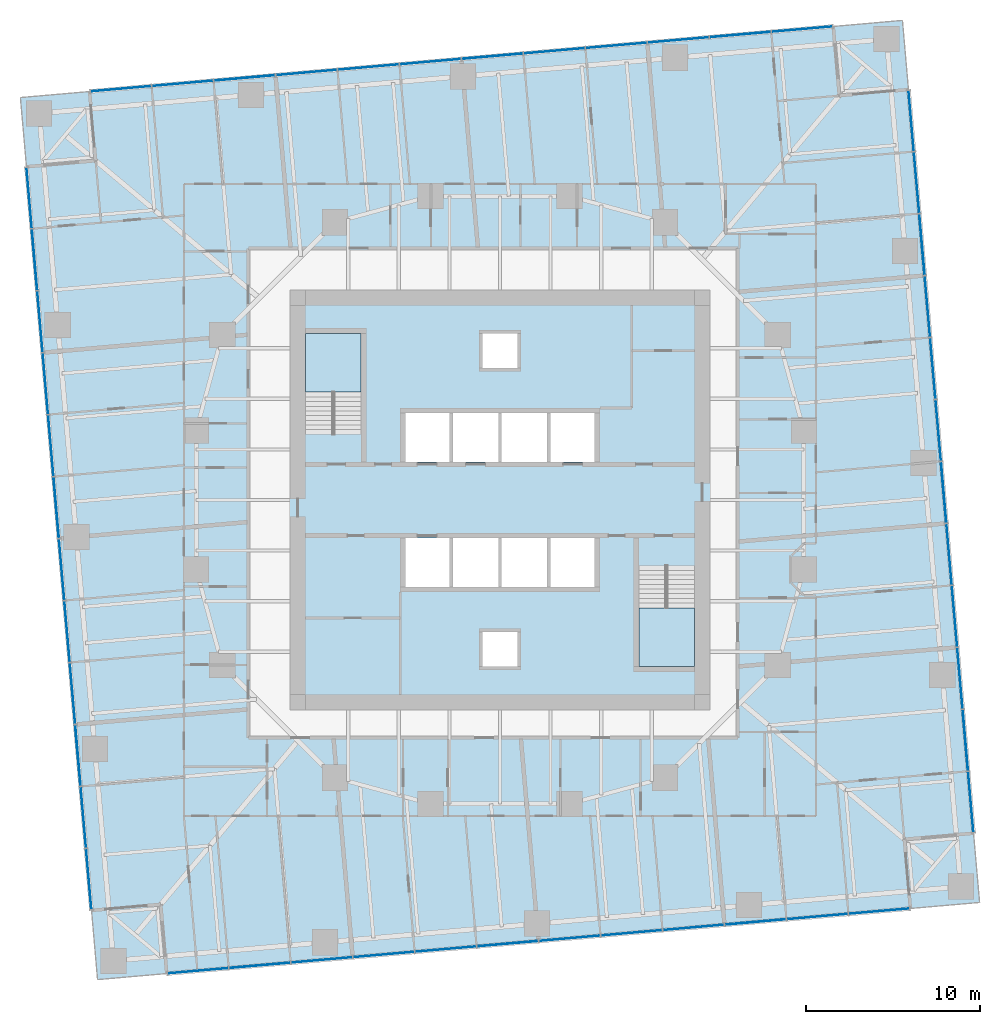
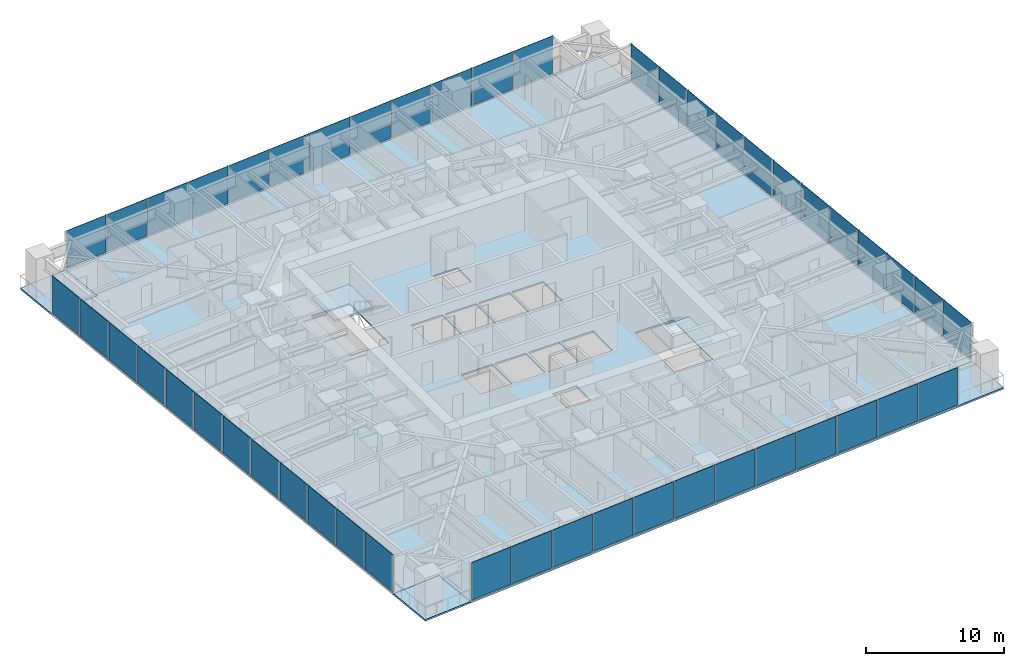
# One storey, part 7 of 14: 48 plates, 7 slabs, 6 elements without a shape of their own.
"""IFC4 building model written with IfcOpenShell, lengths in metres."""

import ifcopenshell
import ifcopenshell.guid

model = None  # the IFC model being written
_history = None  # IfcOwnerHistory: only IFC2X3 demands one
_inside = {}  # id of a spatial element -> (the spatial element, [elements in it])
_under = {}  # id of a project, library or spatial element -> (it, [spatial elements below it])
_declared = {}  # id of a project -> (the project, [libraries it declares])
_typed = {}  # id of a type object -> (the type object, [elements of that type])
_made_of = {}  # id of a material, layer set ... -> (it, [elements and type objects made of it])


def new_model(schema):
    """Start an empty IFC model of exactly this schema.

    Asked for "IFC4X3", IfcOpenShell would pick the latest addendum, in which some entities
    have other attributes; the version numbers below select the first issue.
    IFC2X3 requires an IfcOwnerHistory on every rooted entity: one is made here for all.
    """
    global model, _history
    if schema == "IFC4X3":
        model = ifcopenshell.file(schema_version=(4, 3, 0, 0))
    else:
        model = ifcopenshell.file(schema=schema)
    _inside.clear()
    _under.clear()
    _declared.clear()
    _typed.clear()
    _made_of.clear()
    _history = None
    if model.schema == "IFC2X3":
        org = make("IfcOrganization", Name="unknown")
        user = make(
            "IfcPersonAndOrganization",
            ThePerson=make("IfcPerson", FamilyName="unknown"),
            TheOrganization=org,
        )
        app = make(
            "IfcApplication",
            ApplicationDeveloper=org,
            Version="unknown",
            ApplicationFullName="unknown",
            ApplicationIdentifier="unknown",
        )
        _history = make(
            "IfcOwnerHistory",
            OwningUser=user,
            OwningApplication=app,
            ChangeAction="ADDED",
            CreationDate=0,
        )
    return model


def make(cls, **values):
    """One entity of the class cls with the attributes given. An attribute that is None is left unset."""
    return model.create_entity(
        cls, **{name: value for name, value in values.items() if value is not None}
    )


def rooted(cls, **values):
    """An entity with a GlobalId (a new one), such as an element, a storey or a relation."""
    return make(cls, GlobalId=ifcopenshell.guid.new(), OwnerHistory=_history, **values)


def si_unit(unit_type, name, prefix=None):
    """IfcSIUnit, for example si_unit("LENGTHUNIT", "METRE", prefix="MILLI")."""
    return make("IfcSIUnit", UnitType=unit_type, Prefix=prefix, Name=name)


def assignment(units):
    """IfcUnitAssignment: the units of a project."""
    return None if units is None else make("IfcUnitAssignment", Units=units)


def point(xyz):
    """IfcCartesianPoint."""
    return None if xyz is None else make("IfcCartesianPoint", Coordinates=xyz)


def direction(xyz):
    """IfcDirection."""
    return None if xyz is None else make("IfcDirection", DirectionRatios=xyz)


def frame(location, z_axis=None, x_axis=None):
    """IfcAxis2Placement3D, a coordinate frame: its origin and axes. An axis left out is left unset."""
    return make(
        "IfcAxis2Placement3D",
        Location=point(location),
        Axis=direction(z_axis),
        RefDirection=direction(x_axis),
    )


def frame_2d(location, x_axis=None):
    """IfcAxis2Placement2D, a coordinate frame in the plane: its origin and x axis."""
    return make(
        "IfcAxis2Placement2D", Location=point(location), RefDirection=direction(x_axis)
    )


def origin():
    """The frame at (0, 0, 0) with its axes left unset."""
    return frame((0.0, 0.0, 0.0))


def origin_2d():
    """The frame at (0, 0) in the plane with its x axis left unset."""
    return frame_2d((0.0, 0.0))


def place(relative_to, where):
    """IfcLocalPlacement: puts the frame where relative to a parent placement (None: the world)."""
    return make(
        "IfcLocalPlacement", PlacementRelTo=relative_to, RelativePlacement=where
    )


def context(
    kind, dimensions, precision=None, world=None, true_north=None, identifier=None
):
    """IfcGeometricRepresentationContext, for example the 3D "Model" context."""
    return make(
        "IfcGeometricRepresentationContext",
        ContextIdentifier=identifier,
        ContextType=kind,
        CoordinateSpaceDimension=dimensions,
        Precision=precision,
        WorldCoordinateSystem=world,
        TrueNorth=true_north,
    )


def subcontext(parent, identifier, kind, view, scale=None):
    """IfcGeometricRepresentationSubContext, for example "Body" below "Model"."""
    return make(
        "IfcGeometricRepresentationSubContext",
        ContextIdentifier=identifier,
        ContextType=kind,
        ParentContext=parent,
        TargetScale=scale,
        TargetView=view,
    )


def project(units=None, contexts=None):
    """IfcProject with its units and contexts."""
    return rooted(
        "IfcProject",
        Name="project",
        RepresentationContexts=contexts,
        UnitsInContext=assignment(units),
    )


def spatial(cls, under=None, at=None, **own):
    """A site, building, storey or space (cls), placed at a placement, below another one or the project."""
    s = rooted(cls, ObjectPlacement=at, **own)
    if under is not None:
        _under.setdefault(under.id(), (under, []))[1].append(s)
    return s


def polyline(points):
    """IfcPolyline through the points."""
    return make("IfcPolyline", Points=[point(p) for p in points])


def profile(cls, at=None, kind="AREA", **sizes):
    """A parametric profile (cls). Its sizes go by their IFC names, for example OverallWidth=200.0."""
    return make(cls, ProfileType=kind, Position=at, **sizes)


def rectangle(**sizes):
    """IfcRectangleProfileDef."""
    return profile("IfcRectangleProfileDef", **sizes)


def outline(outer, holes=None, kind="AREA"):
    """IfcArbitraryClosedProfileDef: a profile drawn as a closed curve; with holes, ...WithVoids."""
    if holes is None:
        return make("IfcArbitraryClosedProfileDef", ProfileType=kind, OuterCurve=outer)
    return make(
        "IfcArbitraryProfileDefWithVoids",
        ProfileType=kind,
        OuterCurve=outer,
        InnerCurves=holes,
    )


def extrude(swept, where, along, depth):
    """IfcExtrudedAreaSolid: the profile swept, set in the frame where, extruded along a direction by depth."""
    return make(
        "IfcExtrudedAreaSolid",
        SweptArea=swept,
        Position=where,
        ExtrudedDirection=direction(along),
        Depth=depth,
    )


def shape(context_of_items, identifier, shape_type, items):
    """IfcShapeRepresentation: the items that make up one representation, for example the "Body"."""
    return make(
        "IfcShapeRepresentation",
        ContextOfItems=context_of_items,
        RepresentationIdentifier=identifier,
        RepresentationType=shape_type,
        Items=items,
    )


def material(Name=None, Category=None):
    """IfcMaterial."""
    return make("IfcMaterial", Name=Name, Category=Category)


def layer(
    of_material, thickness, ventilated=None, Name=None, Category=None, Priority=None
):
    """IfcMaterialLayer: one layer of a wall or slab, of a material (None: an air gap)."""
    return make(
        "IfcMaterialLayer",
        Material=of_material,
        LayerThickness=thickness,
        IsVentilated=ventilated,
        Name=Name,
        Category=Category,
        Priority=Priority,
    )


def layer_set(layers, Name=None):
    """IfcMaterialLayerSet."""
    return make("IfcMaterialLayerSet", MaterialLayers=layers, LayerSetName=Name)


def made_of(thing, what):
    """Note that an element or type object is made of a material, layer set ...; save() writes the relation."""
    if what is not None:
        _made_of.setdefault(what.id(), (what, []))[1].append(thing)
    return thing


def type_object(cls, material=None, **own):
    """A type object (cls), such as IfcWallType, which elements share."""
    return made_of(rooted(cls, **own), material)


def element(
    cls,
    number,
    at=None,
    inside=None,
    cuts=None,
    type_object=None,
    material=None,
    context=None,
    identifier="Body",
    shape_type=None,
    held_by="IfcProductDefinitionShape",
    body=None,
    shapes=None,
    **own,
):
    """One element of the class cls, such as IfcWall. Its Tag is "e" and its number.

    at: its placement. inside: the storey or other place that contains it. cuts: it is an
    opening in that element (IfcRelVoidsElement). A single representation is given by context,
    identifier, shape_type and body (its items); several are given by shapes. held_by: the class
    of the entity that holds the representations. save() writes the other relations.
    """
    e = rooted(cls, Tag="e%d" % number, ObjectPlacement=at, **own)
    if body is not None:
        shapes = [shape(context, identifier, shape_type, body)]
    if shapes is not None:
        e.Representation = make(held_by, Representations=shapes)
    if inside is not None:
        _inside.setdefault(inside.id(), (inside, []))[1].append(e)
    if cuts is not None:
        rooted(
            "IfcRelVoidsElement", RelatingBuildingElement=cuts, RelatedOpeningElement=e
        )
    if type_object is not None:
        _typed.setdefault(type_object.id(), (type_object, []))[1].append(e)
    return made_of(e, material)


def aggregate(whole, parts):
    """IfcRelAggregates: a whole, such as a stair, and the parts it consists of."""
    return rooted("IfcRelAggregates", RelatingObject=whole, RelatedObjects=parts)


def save(model, path):
    """Write the relations noted so far, then the file.

    IfcRelAggregates (storeys below a building ...), IfcRelContainedInSpatialStructure (elements
    in a storey), IfcRelDefinesByType, IfcRelAssociatesMaterial and IfcRelDeclares: one each for
    every whole, place, type object, material and project.
    """
    for whole, parts in _under.values():
        aggregate(whole, parts)
    for where, things in _inside.values():
        rooted(
            "IfcRelContainedInSpatialStructure",
            RelatedElements=things,
            RelatingStructure=where,
        )
    for kind, things in _typed.values():
        rooted("IfcRelDefinesByType", RelatedObjects=things, RelatingType=kind)
    for what, things in _made_of.values():
        rooted("IfcRelAssociatesMaterial", RelatedObjects=things, RelatingMaterial=what)
    for by, libraries in _declared.values():
        rooted("IfcRelDeclares", RelatingContext=by, RelatedDefinitions=libraries)
    model.write(path)


model = new_model("IFC4")

# Units and contexts
model_context = context("Model", 3, precision=1e-05, world=origin(), true_north=direction((0.0, 1.0)))
body_context = subcontext(model_context, "Body", "Model", "MODEL_VIEW")
ifc_project = project(units=[si_unit("LENGTHUNIT", "METRE"), si_unit("AREAUNIT", "SQUARE_METRE"), si_unit("VOLUMEUNIT", "CUBIC_METRE"), si_unit("PLANEANGLEUNIT", "RADIAN"), si_unit("MASSUNIT", "GRAM", prefix="KILO")], contexts=[model_context])

# Site, building, storey
site_placement = place(None, origin())
site = spatial("IfcSite", under=ifc_project, at=site_placement, CompositionType="ELEMENT")
building_placement = place(site_placement, origin())
building = spatial("IfcBuilding", under=site, at=building_placement, Name="Torsade Residences", CompositionType="ELEMENT")
storey_placement = place(building_placement, frame((0.0, 0.0, 67.60009765625)))
storey = spatial("IfcBuildingStorey", under=building, at=storey_placement, Name="L18", CompositionType="ELEMENT", Elevation=67.60009765625)

# Slab
ifc_material_1 = material(Name="Concrete 40 MPa", Category="concrete")
ifc_layer_1 = layer(ifc_material_1, 0.14990234375)
ifc_layer_set_1 = layer_set([ifc_layer_1], Name="Concrete 40 MPa")
slab_type_1 = type_object("IfcSlabType", Name="COMPOSITE FLOOR SLAB 150", PredefinedType="FLOOR", material=ifc_layer_set_1)
slab_1_placement = place(storey_placement, frame((0.0, 0.0, -0.150146484375)))
element("IfcSlab", 1, at=slab_1_placement, inside=storey, type_object=slab_type_1, Name="Floor slab L18", PredefinedType="FLOOR", context=body_context, shape_type="SweptSolid", body=[
    extrude(outline(polyline([(20.80419921875, 2.72314453125), (63.640625, 6.470947265625), (63.2919921875, 10.45556640625), (67.27685546875, 10.80419921875), (63.529052734375, 53.640625), (59.54443359375, 53.2919921875), (59.19580078125, 57.27685546875), (16.359375, 53.529052734375), (16.7080078125, 49.54443359375), (12.72314453125, 49.19580078125), (16.470947265625, 6.359375), (20.45556640625, 6.7080078125), (20.80419921875, 2.72314453125)]), holes=[polyline([(51.199951171875, 20.39990234375), (51.199951171875, 26.1201171875), (48.0, 26.1201171875), (48.0, 20.39990234375), (51.199951171875, 20.39990234375)]), polyline([(45.5, 27.800048828125), (42.89990234375, 27.800048828125), (42.89990234375, 25.0), (45.5, 25.0), (45.5, 27.800048828125)]), polyline([(45.5, 32.199951171875), (45.5, 35.0), (42.89990234375, 35.0), (42.89990234375, 32.199951171875), (45.5, 32.199951171875)]), polyline([(42.699951171875, 25.0), (42.699951171875, 27.800048828125), (40.10009765625, 27.800048828125), (40.10009765625, 25.0), (42.699951171875, 25.0)]), polyline([(42.699951171875, 32.199951171875), (42.699951171875, 35.0), (40.10009765625, 35.0), (40.10009765625, 32.199951171875), (42.699951171875, 32.199951171875)]), polyline([(41.0, 22.39990234375), (39.0, 22.39990234375), (39.0, 20.39990234375), (41.0, 20.39990234375), (41.0, 22.39990234375)]), polyline([(41.0, 37.60009765625), (41.0, 39.60009765625), (39.0, 39.60009765625), (39.0, 37.60009765625), (41.0, 37.60009765625)]), polyline([(39.89990234375, 25.0), (39.89990234375, 27.800048828125), (37.300048828125, 27.800048828125), (37.300048828125, 25.0), (39.89990234375, 25.0)]), polyline([(39.89990234375, 35.0), (37.300048828125, 35.0), (37.300048828125, 32.199951171875), (39.89990234375, 32.199951171875), (39.89990234375, 35.0)]), polyline([(37.10009765625, 27.800048828125), (34.5, 27.800048828125), (34.5, 25.0), (37.10009765625, 25.0), (37.10009765625, 27.800048828125)]), polyline([(37.10009765625, 32.199951171875), (37.10009765625, 35.0), (34.5, 35.0), (34.5, 32.199951171875), (37.10009765625, 32.199951171875)]), polyline([(32.0, 33.8798828125), (32.0, 39.60009765625), (28.800048828125, 39.60009765625), (28.800048828125, 33.8798828125), (32.0, 33.8798828125)])]), origin(), (0.0, 0.0, 1.0), 0.150146484375),
])

# Curtain wall, plates
ifc_material_2 = material(Name="Aluminium and glass", Category="aluminium")
curtain_wall_type = type_object("IfcCurtainWallType", Name="FRITTED GLASS CURTAIN WALL LOW ZONE", PredefinedType="NOTDEFINED", material=ifc_material_2)
curtain_wall_1_placement = place(storey_placement, origin())
curtain_wall_1 = element("IfcCurtainWall", 2, at=curtain_wall_1_placement, inside=storey, type_object=curtain_wall_type, Name="Curtain wall L18 face 1", PredefinedType="NOTDEFINED")
ifc_material_3 = material(Name="Laminated glass", Category="glass")
ifc_layer_2 = layer(ifc_material_3, 0.031982421875)
ifc_layer_set_2 = layer_set([ifc_layer_2], Name="Laminated glass")
plate_type_1 = type_object("IfcPlateType", Name="FRITTED GLASS PANEL", PredefinedType="CURTAIN_PANEL", material=ifc_layer_set_2)
plate_1_placement = place(storey_placement, frame((22.605224609375, 2.880859375, 0.10009765625), z_axis=(0.0, 0.0, 1.0), x_axis=(0.996194697964, 0.087155744208, 0.0)))
plate_1 = element("IfcPlate", 3, at=plate_1_placement, type_object=plate_type_1, Name="Panel 1", PredefinedType="CURTAIN_PANEL", context=body_context, shape_type="SweptSolid", body=[
    extrude(rectangle(XDim=3.48583984375, YDim=0.031982421875, at=origin_2d()), origin(), (0.0, 0.0, 1.0), 3.300048828125),
])
plate_2_placement = place(storey_placement, frame((29.728515625, 3.50390625, 0.10009765625), z_axis=(0.0, 0.0, 1.0), x_axis=(0.996194697964, 0.087155744208, 0.0)))
plate_2 = element("IfcPlate", 4, at=plate_2_placement, type_object=plate_type_1, Name="Panel 3", PredefinedType="CURTAIN_PANEL", context=body_context, shape_type="SweptSolid", body=[
    extrude(rectangle(XDim=3.518310546875, YDim=0.031982421875, at=origin_2d()), origin(), (0.0, 0.0, 1.0), 3.300048828125),
])
plate_3_placement = place(storey_placement, frame((33.29833984375, 3.816162109375, 0.10009765625), z_axis=(0.0, 0.0, 1.0), x_axis=(0.996194697964, 0.087155744208, 0.0)))
plate_3 = element("IfcPlate", 5, at=plate_3_placement, type_object=plate_type_1, Name="Panel 4", PredefinedType="CURTAIN_PANEL", context=body_context, shape_type="SweptSolid", body=[
    extrude(rectangle(XDim=3.518310546875, YDim=0.031982421875, at=origin_2d()), origin(), (0.0, 0.0, 1.0), 3.300048828125),
])
plate_4_placement = place(storey_placement, frame((36.867919921875, 4.128662109375, 0.10009765625), z_axis=(0.0, 0.0, 1.0), x_axis=(0.996194697964, 0.087155744208, 0.0)))
plate_4 = element("IfcPlate", 6, at=plate_4_placement, type_object=plate_type_1, Name="Panel 5", PredefinedType="CURTAIN_PANEL", context=body_context, shape_type="SweptSolid", body=[
    extrude(rectangle(XDim=3.518310546875, YDim=0.031982421875, at=origin_2d()), origin(), (0.0, 0.0, 1.0), 3.300048828125),
])
plate_5_placement = place(storey_placement, frame((44.00732421875, 4.753173828125, 0.10009765625), z_axis=(0.0, 0.0, 1.0), x_axis=(0.996194697964, 0.087155744208, 0.0)))
plate_5 = element("IfcPlate", 7, at=plate_5_placement, type_object=plate_type_1, Name="Panel 7", PredefinedType="CURTAIN_PANEL", context=body_context, shape_type="SweptSolid", body=[
    extrude(rectangle(XDim=3.518310546875, YDim=0.031982421875, at=origin_2d()), origin(), (0.0, 0.0, 1.0), 3.300048828125),
])
plate_6_placement = place(storey_placement, frame((47.576904296875, 5.0654296875, 0.10009765625), z_axis=(0.0, 0.0, 1.0), x_axis=(0.996194697964, 0.087155744208, 0.0)))
plate_6 = element("IfcPlate", 8, at=plate_6_placement, type_object=plate_type_1, Name="Panel 8", PredefinedType="CURTAIN_PANEL", context=body_context, shape_type="SweptSolid", body=[
    extrude(rectangle(XDim=3.518310546875, YDim=0.031982421875, at=origin_2d()), origin(), (0.0, 0.0, 1.0), 3.300048828125),
])
plate_7_placement = place(storey_placement, frame((51.146728515625, 5.377685546875, 0.10009765625), z_axis=(0.0, 0.0, 1.0), x_axis=(0.996194697964, 0.087155744208, 0.0)))
plate_7 = element("IfcPlate", 9, at=plate_7_placement, type_object=plate_type_1, Name="Panel 9", PredefinedType="CURTAIN_PANEL", context=body_context, shape_type="SweptSolid", body=[
    extrude(rectangle(XDim=3.518310546875, YDim=0.031982421875, at=origin_2d()), origin(), (0.0, 0.0, 1.0), 3.300048828125),
])
plate_8_placement = place(storey_placement, frame((58.2861328125, 6.00244140625, 0.10009765625), z_axis=(0.0, 0.0, 1.0), x_axis=(0.996194697964, 0.087155744208, 0.0)))
plate_8 = element("IfcPlate", 10, at=plate_8_placement, type_object=plate_type_1, Name="Panel 11", PredefinedType="CURTAIN_PANEL", context=body_context, shape_type="SweptSolid", body=[
    extrude(rectangle(XDim=3.518310546875, YDim=0.031982421875, at=origin_2d()), origin(), (0.0, 0.0, 1.0), 3.300048828125),
])
plate_9_placement = place(storey_placement, frame((61.839599609375, 6.313232421875, 0.10009765625), z_axis=(0.0, 0.0, 1.0), x_axis=(0.996194697964, 0.087155744208, 0.0)))
plate_9 = element("IfcPlate", 11, at=plate_9_placement, type_object=plate_type_1, Name="Panel 12", PredefinedType="CURTAIN_PANEL", context=body_context, shape_type="SweptSolid", body=[
    extrude(rectangle(XDim=3.48583984375, YDim=0.031982421875, at=origin_2d()), origin(), (0.0, 0.0, 1.0), 3.300048828125),
])

curtain_wall_2_placement = place(storey_placement, origin())
curtain_wall_2 = element("IfcCurtainWall", 12, at=curtain_wall_2_placement, inside=storey, type_object=curtain_wall_type, Name="Curtain wall L18 face 4", PredefinedType="NOTDEFINED")
plate_10_placement = place(storey_placement, frame((67.119140625, 12.605224609375, 0.10009765625), z_axis=(0.0, 0.0, 1.0), x_axis=(-0.087155744208, 0.996194697964, 0.0)))
plate_10 = element("IfcPlate", 13, at=plate_10_placement, type_object=plate_type_1, Name="Panel 1", PredefinedType="CURTAIN_PANEL", context=body_context, shape_type="SweptSolid", body=[
    extrude(rectangle(XDim=3.48583984375, YDim=0.031982421875, at=origin_2d()), origin(), (0.0, 0.0, 1.0), 3.300048828125),
])
plate_11_placement = place(storey_placement, frame((66.49609375, 19.728515625, 0.10009765625), z_axis=(0.0, 0.0, 1.0), x_axis=(-0.087155744208, 0.996194697964, 0.0)))
plate_11 = element("IfcPlate", 14, at=plate_11_placement, type_object=plate_type_1, Name="Panel 3", PredefinedType="CURTAIN_PANEL", context=body_context, shape_type="SweptSolid", body=[
    extrude(rectangle(XDim=3.518310546875, YDim=0.031982421875, at=origin_2d()), origin(), (0.0, 0.0, 1.0), 3.300048828125),
])
plate_12_placement = place(storey_placement, frame((66.183837890625, 23.29833984375, 0.10009765625), z_axis=(0.0, 0.0, 1.0), x_axis=(-0.087155744208, 0.996194697964, 0.0)))
plate_12 = element("IfcPlate", 15, at=plate_12_placement, type_object=plate_type_1, Name="Panel 4", PredefinedType="CURTAIN_PANEL", context=body_context, shape_type="SweptSolid", body=[
    extrude(rectangle(XDim=3.518310546875, YDim=0.031982421875, at=origin_2d()), origin(), (0.0, 0.0, 1.0), 3.300048828125),
])
plate_13_placement = place(storey_placement, frame((65.871337890625, 26.867919921875, 0.10009765625), z_axis=(0.0, 0.0, 1.0), x_axis=(-0.087155744208, 0.996194697964, 0.0)))
plate_13 = element("IfcPlate", 16, at=plate_13_placement, type_object=plate_type_1, Name="Panel 5", PredefinedType="CURTAIN_PANEL", context=body_context, shape_type="SweptSolid", body=[
    extrude(rectangle(XDim=3.518310546875, YDim=0.031982421875, at=origin_2d()), origin(), (0.0, 0.0, 1.0), 3.300048828125),
])
plate_14_placement = place(storey_placement, frame((65.246826171875, 34.00732421875, 0.10009765625), z_axis=(0.0, 0.0, 1.0), x_axis=(-0.087155744208, 0.996194697964, 0.0)))
plate_14 = element("IfcPlate", 17, at=plate_14_placement, type_object=plate_type_1, Name="Panel 7", PredefinedType="CURTAIN_PANEL", context=body_context, shape_type="SweptSolid", body=[
    extrude(rectangle(XDim=3.518310546875, YDim=0.031982421875, at=origin_2d()), origin(), (0.0, 0.0, 1.0), 3.300048828125),
])
plate_15_placement = place(storey_placement, frame((64.9345703125, 37.576904296875, 0.10009765625), z_axis=(0.0, 0.0, 1.0), x_axis=(-0.087155744208, 0.996194697964, 0.0)))
plate_15 = element("IfcPlate", 18, at=plate_15_placement, type_object=plate_type_1, Name="Panel 8", PredefinedType="CURTAIN_PANEL", context=body_context, shape_type="SweptSolid", body=[
    extrude(rectangle(XDim=3.518310546875, YDim=0.031982421875, at=origin_2d()), origin(), (0.0, 0.0, 1.0), 3.300048828125),
])
plate_16_placement = place(storey_placement, frame((64.622314453125, 41.146728515625, 0.10009765625), z_axis=(0.0, 0.0, 1.0), x_axis=(-0.087155744208, 0.996194697964, 0.0)))
plate_16 = element("IfcPlate", 19, at=plate_16_placement, type_object=plate_type_1, Name="Panel 9", PredefinedType="CURTAIN_PANEL", context=body_context, shape_type="SweptSolid", body=[
    extrude(rectangle(XDim=3.518310546875, YDim=0.031982421875, at=origin_2d()), origin(), (0.0, 0.0, 1.0), 3.300048828125),
])
plate_17_placement = place(storey_placement, frame((63.99755859375, 48.2861328125, 0.10009765625), z_axis=(0.0, 0.0, 1.0), x_axis=(-0.087155744208, 0.996194697964, 0.0)))
plate_17 = element("IfcPlate", 20, at=plate_17_placement, type_object=plate_type_1, Name="Panel 11", PredefinedType="CURTAIN_PANEL", context=body_context, shape_type="SweptSolid", body=[
    extrude(rectangle(XDim=3.518310546875, YDim=0.031982421875, at=origin_2d()), origin(), (0.0, 0.0, 1.0), 3.300048828125),
])
plate_18_placement = place(storey_placement, frame((63.686767578125, 51.839599609375, 0.10009765625), z_axis=(0.0, 0.0, 1.0), x_axis=(-0.087155744208, 0.996194697964, 0.0)))
plate_18 = element("IfcPlate", 21, at=plate_18_placement, type_object=plate_type_1, Name="Panel 12", PredefinedType="CURTAIN_PANEL", context=body_context, shape_type="SweptSolid", body=[
    extrude(rectangle(XDim=3.48583984375, YDim=0.031982421875, at=origin_2d()), origin(), (0.0, 0.0, 1.0), 3.300048828125),
])

curtain_wall_3_placement = place(storey_placement, origin())
curtain_wall_3 = element("IfcCurtainWall", 22, at=curtain_wall_3_placement, inside=storey, type_object=curtain_wall_type, Name="Curtain wall L18 face 7", PredefinedType="NOTDEFINED")
plate_19_placement = place(storey_placement, frame((57.394775390625, 57.119140625, 0.10009765625), z_axis=(0.0, 0.0, 1.0), x_axis=(-0.996194697964, -0.087155744208, 0.0)))
plate_19 = element("IfcPlate", 23, at=plate_19_placement, type_object=plate_type_1, Name="Panel 1", PredefinedType="CURTAIN_PANEL", context=body_context, shape_type="SweptSolid", body=[
    extrude(rectangle(XDim=3.48583984375, YDim=0.031982421875, at=origin_2d()), origin(), (0.0, 0.0, 1.0), 3.300048828125),
])
plate_20_placement = place(storey_placement, frame((50.271484375, 56.49609375, 0.10009765625), z_axis=(0.0, 0.0, 1.0), x_axis=(-0.996194697964, -0.087155744208, 0.0)))
plate_20 = element("IfcPlate", 24, at=plate_20_placement, type_object=plate_type_1, Name="Panel 3", PredefinedType="CURTAIN_PANEL", context=body_context, shape_type="SweptSolid", body=[
    extrude(rectangle(XDim=3.518310546875, YDim=0.031982421875, at=origin_2d()), origin(), (0.0, 0.0, 1.0), 3.300048828125),
])
plate_21_placement = place(storey_placement, frame((46.70166015625, 56.183837890625, 0.10009765625), z_axis=(0.0, 0.0, 1.0), x_axis=(-0.996194697964, -0.087155744208, 0.0)))
plate_21 = element("IfcPlate", 25, at=plate_21_placement, type_object=plate_type_1, Name="Panel 4", PredefinedType="CURTAIN_PANEL", context=body_context, shape_type="SweptSolid", body=[
    extrude(rectangle(XDim=3.518310546875, YDim=0.031982421875, at=origin_2d()), origin(), (0.0, 0.0, 1.0), 3.300048828125),
])
plate_22_placement = place(storey_placement, frame((43.132080078125, 55.871337890625, 0.10009765625), z_axis=(0.0, 0.0, 1.0), x_axis=(-0.996194697964, -0.087155744208, 0.0)))
plate_22 = element("IfcPlate", 26, at=plate_22_placement, type_object=plate_type_1, Name="Panel 5", PredefinedType="CURTAIN_PANEL", context=body_context, shape_type="SweptSolid", body=[
    extrude(rectangle(XDim=3.518310546875, YDim=0.031982421875, at=origin_2d()), origin(), (0.0, 0.0, 1.0), 3.300048828125),
])
plate_23_placement = place(storey_placement, frame((35.99267578125, 55.246826171875, 0.10009765625), z_axis=(0.0, 0.0, 1.0), x_axis=(-0.996194697964, -0.087155744208, 0.0)))
plate_23 = element("IfcPlate", 27, at=plate_23_placement, type_object=plate_type_1, Name="Panel 7", PredefinedType="CURTAIN_PANEL", context=body_context, shape_type="SweptSolid", body=[
    extrude(rectangle(XDim=3.518310546875, YDim=0.031982421875, at=origin_2d()), origin(), (0.0, 0.0, 1.0), 3.300048828125),
])
plate_24_placement = place(storey_placement, frame((32.423095703125, 54.9345703125, 0.10009765625), z_axis=(0.0, 0.0, 1.0), x_axis=(-0.996194697964, -0.087155744208, 0.0)))
plate_24 = element("IfcPlate", 28, at=plate_24_placement, type_object=plate_type_1, Name="Panel 8", PredefinedType="CURTAIN_PANEL", context=body_context, shape_type="SweptSolid", body=[
    extrude(rectangle(XDim=3.518310546875, YDim=0.031982421875, at=origin_2d()), origin(), (0.0, 0.0, 1.0), 3.300048828125),
])
plate_25_placement = place(storey_placement, frame((28.853271484375, 54.622314453125, 0.10009765625), z_axis=(0.0, 0.0, 1.0), x_axis=(-0.996194697964, -0.087155744208, 0.0)))
plate_25 = element("IfcPlate", 29, at=plate_25_placement, type_object=plate_type_1, Name="Panel 9", PredefinedType="CURTAIN_PANEL", context=body_context, shape_type="SweptSolid", body=[
    extrude(rectangle(XDim=3.518310546875, YDim=0.031982421875, at=origin_2d()), origin(), (0.0, 0.0, 1.0), 3.300048828125),
])
plate_26_placement = place(storey_placement, frame((21.7138671875, 53.99755859375, 0.10009765625), z_axis=(0.0, 0.0, 1.0), x_axis=(-0.996194697964, -0.087155744208, 0.0)))
plate_26 = element("IfcPlate", 30, at=plate_26_placement, type_object=plate_type_1, Name="Panel 11", PredefinedType="CURTAIN_PANEL", context=body_context, shape_type="SweptSolid", body=[
    extrude(rectangle(XDim=3.518310546875, YDim=0.031982421875, at=origin_2d()), origin(), (0.0, 0.0, 1.0), 3.300048828125),
])
plate_27_placement = place(storey_placement, frame((18.160400390625, 53.686767578125, 0.10009765625), z_axis=(0.0, 0.0, 1.0), x_axis=(-0.996194697964, -0.087155744208, 0.0)))
plate_27 = element("IfcPlate", 31, at=plate_27_placement, type_object=plate_type_1, Name="Panel 12", PredefinedType="CURTAIN_PANEL", context=body_context, shape_type="SweptSolid", body=[
    extrude(rectangle(XDim=3.48583984375, YDim=0.031982421875, at=origin_2d()), origin(), (0.0, 0.0, 1.0), 3.300048828125),
])

curtain_wall_4_placement = place(storey_placement, origin())
curtain_wall_4 = element("IfcCurtainWall", 32, at=curtain_wall_4_placement, inside=storey, type_object=curtain_wall_type, Name="Curtain wall L18 face 10", PredefinedType="NOTDEFINED")
plate_28_placement = place(storey_placement, frame((12.880859375, 47.394775390625, 0.10009765625), z_axis=(0.0, 0.0, 1.0), x_axis=(0.087155744208, -0.996194697964, 0.0)))
plate_28 = element("IfcPlate", 33, at=plate_28_placement, type_object=plate_type_1, Name="Panel 1", PredefinedType="CURTAIN_PANEL", context=body_context, shape_type="SweptSolid", body=[
    extrude(rectangle(XDim=3.48583984375, YDim=0.031982421875, at=origin_2d()), origin(), (0.0, 0.0, 1.0), 3.300048828125),
])
plate_29_placement = place(storey_placement, frame((13.50390625, 40.271484375, 0.10009765625), z_axis=(0.0, 0.0, 1.0), x_axis=(0.087155744208, -0.996194697964, 0.0)))
plate_29 = element("IfcPlate", 34, at=plate_29_placement, type_object=plate_type_1, Name="Panel 3", PredefinedType="CURTAIN_PANEL", context=body_context, shape_type="SweptSolid", body=[
    extrude(rectangle(XDim=3.518310546875, YDim=0.031982421875, at=origin_2d()), origin(), (0.0, 0.0, 1.0), 3.300048828125),
])
plate_30_placement = place(storey_placement, frame((13.816162109375, 36.70166015625, 0.10009765625), z_axis=(0.0, 0.0, 1.0), x_axis=(0.087155744208, -0.996194697964, 0.0)))
plate_30 = element("IfcPlate", 35, at=plate_30_placement, type_object=plate_type_1, Name="Panel 4", PredefinedType="CURTAIN_PANEL", context=body_context, shape_type="SweptSolid", body=[
    extrude(rectangle(XDim=3.518310546875, YDim=0.031982421875, at=origin_2d()), origin(), (0.0, 0.0, 1.0), 3.300048828125),
])
plate_31_placement = place(storey_placement, frame((14.128662109375, 33.132080078125, 0.10009765625), z_axis=(0.0, 0.0, 1.0), x_axis=(0.087155744208, -0.996194697964, 0.0)))
plate_31 = element("IfcPlate", 36, at=plate_31_placement, type_object=plate_type_1, Name="Panel 5", PredefinedType="CURTAIN_PANEL", context=body_context, shape_type="SweptSolid", body=[
    extrude(rectangle(XDim=3.518310546875, YDim=0.031982421875, at=origin_2d()), origin(), (0.0, 0.0, 1.0), 3.300048828125),
])
plate_32_placement = place(storey_placement, frame((14.753173828125, 25.99267578125, 0.10009765625), z_axis=(0.0, 0.0, 1.0), x_axis=(0.087155744208, -0.996194697964, 0.0)))
plate_32 = element("IfcPlate", 37, at=plate_32_placement, type_object=plate_type_1, Name="Panel 7", PredefinedType="CURTAIN_PANEL", context=body_context, shape_type="SweptSolid", body=[
    extrude(rectangle(XDim=3.518310546875, YDim=0.031982421875, at=origin_2d()), origin(), (0.0, 0.0, 1.0), 3.300048828125),
])
plate_33_placement = place(storey_placement, frame((15.0654296875, 22.423095703125, 0.10009765625), z_axis=(0.0, 0.0, 1.0), x_axis=(0.087155744208, -0.996194697964, 0.0)))
plate_33 = element("IfcPlate", 38, at=plate_33_placement, type_object=plate_type_1, Name="Panel 8", PredefinedType="CURTAIN_PANEL", context=body_context, shape_type="SweptSolid", body=[
    extrude(rectangle(XDim=3.518310546875, YDim=0.031982421875, at=origin_2d()), origin(), (0.0, 0.0, 1.0), 3.300048828125),
])
plate_34_placement = place(storey_placement, frame((15.377685546875, 18.853271484375, 0.10009765625), z_axis=(0.0, 0.0, 1.0), x_axis=(0.087155744208, -0.996194697964, 0.0)))
plate_34 = element("IfcPlate", 39, at=plate_34_placement, type_object=plate_type_1, Name="Panel 9", PredefinedType="CURTAIN_PANEL", context=body_context, shape_type="SweptSolid", body=[
    extrude(rectangle(XDim=3.518310546875, YDim=0.031982421875, at=origin_2d()), origin(), (0.0, 0.0, 1.0), 3.300048828125),
])
plate_35_placement = place(storey_placement, frame((16.00244140625, 11.7138671875, 0.10009765625), z_axis=(0.0, 0.0, 1.0), x_axis=(0.087155744208, -0.996194697964, 0.0)))
plate_35 = element("IfcPlate", 40, at=plate_35_placement, type_object=plate_type_1, Name="Panel 11", PredefinedType="CURTAIN_PANEL", context=body_context, shape_type="SweptSolid", body=[
    extrude(rectangle(XDim=3.518310546875, YDim=0.031982421875, at=origin_2d()), origin(), (0.0, 0.0, 1.0), 3.300048828125),
])
plate_36_placement = place(storey_placement, frame((16.313232421875, 8.160400390625, 0.10009765625), z_axis=(0.0, 0.0, 1.0), x_axis=(0.087155744208, -0.996194697964, 0.0)))
plate_36 = element("IfcPlate", 41, at=plate_36_placement, type_object=plate_type_1, Name="Panel 12", PredefinedType="CURTAIN_PANEL", context=body_context, shape_type="SweptSolid", body=[
    extrude(rectangle(XDim=3.48583984375, YDim=0.031982421875, at=origin_2d()), origin(), (0.0, 0.0, 1.0), 3.300048828125),
])

# Plate
ifc_material_4 = material(Name="Laminated glass", Category="glass")
ifc_layer_3 = layer(ifc_material_4, 0.0400390625)
ifc_layer_set_3 = layer_set([ifc_layer_3], Name="Laminated glass")
plate_type_2 = type_object("IfcPlateType", Name="OPERABLE VENT PANEL", PredefinedType="CURTAIN_PANEL", material=ifc_layer_set_3)
plate_37_placement = place(storey_placement, frame((26.158935546875, 3.191650390625, 0.10009765625), z_axis=(0.0, 0.0, 1.0), x_axis=(0.996194697964, 0.087155744208, 0.0)))
plate_37 = element("IfcPlate", 42, at=plate_37_placement, type_object=plate_type_2, Name="Panel 2", PredefinedType="CURTAIN_PANEL", context=body_context, shape_type="SweptSolid", body=[
    extrude(rectangle(XDim=3.518310546875, YDim=0.0400390625, at=origin_2d()), origin(), (0.0, 0.0, 1.0), 3.300048828125),
])

plate_38_placement = place(storey_placement, frame((40.437744140625, 4.44091796875, 0.10009765625), z_axis=(0.0, 0.0, 1.0), x_axis=(0.996194697964, 0.087155744208, 0.0)))
plate_38 = element("IfcPlate", 43, at=plate_38_placement, type_object=plate_type_2, Name="Panel 6", PredefinedType="CURTAIN_PANEL", context=body_context, shape_type="SweptSolid", body=[
    extrude(rectangle(XDim=3.518310546875, YDim=0.0400390625, at=origin_2d()), origin(), (0.0, 0.0, 1.0), 3.300048828125),
])

plate_39_placement = place(storey_placement, frame((54.71630859375, 5.690185546875, 0.10009765625), z_axis=(0.0, 0.0, 1.0), x_axis=(0.996194697964, 0.087155744208, 0.0)))
plate_39 = element("IfcPlate", 44, at=plate_39_placement, type_object=plate_type_2, Name="Panel 10", PredefinedType="CURTAIN_PANEL", context=body_context, shape_type="SweptSolid", body=[
    extrude(rectangle(XDim=3.518310546875, YDim=0.0400390625, at=origin_2d()), origin(), (0.0, 0.0, 1.0), 3.300048828125),
])

aggregate(curtain_wall_1, [plate_1, plate_37, plate_2, plate_3, plate_4, plate_38, plate_5, plate_6, plate_7, plate_39, plate_8, plate_9])

plate_40_placement = place(storey_placement, frame((66.808349609375, 16.158935546875, 0.10009765625), z_axis=(0.0, 0.0, 1.0), x_axis=(-0.087155744208, 0.996194697964, 0.0)))
plate_40 = element("IfcPlate", 45, at=plate_40_placement, type_object=plate_type_2, Name="Panel 2", PredefinedType="CURTAIN_PANEL", context=body_context, shape_type="SweptSolid", body=[
    extrude(rectangle(XDim=3.518310546875, YDim=0.0400390625, at=origin_2d()), origin(), (0.0, 0.0, 1.0), 3.300048828125),
])

plate_41_placement = place(storey_placement, frame((65.55908203125, 30.437744140625, 0.10009765625), z_axis=(0.0, 0.0, 1.0), x_axis=(-0.087155744208, 0.996194697964, 0.0)))
plate_41 = element("IfcPlate", 46, at=plate_41_placement, type_object=plate_type_2, Name="Panel 6", PredefinedType="CURTAIN_PANEL", context=body_context, shape_type="SweptSolid", body=[
    extrude(rectangle(XDim=3.518310546875, YDim=0.0400390625, at=origin_2d()), origin(), (0.0, 0.0, 1.0), 3.300048828125),
])

plate_42_placement = place(storey_placement, frame((64.309814453125, 44.71630859375, 0.10009765625), z_axis=(0.0, 0.0, 1.0), x_axis=(-0.087155744208, 0.996194697964, 0.0)))
plate_42 = element("IfcPlate", 47, at=plate_42_placement, type_object=plate_type_2, Name="Panel 10", PredefinedType="CURTAIN_PANEL", context=body_context, shape_type="SweptSolid", body=[
    extrude(rectangle(XDim=3.518310546875, YDim=0.0400390625, at=origin_2d()), origin(), (0.0, 0.0, 1.0), 3.300048828125),
])

aggregate(curtain_wall_2, [plate_10, plate_40, plate_11, plate_12, plate_13, plate_41, plate_14, plate_15, plate_16, plate_42, plate_17, plate_18])

plate_43_placement = place(storey_placement, frame((53.841064453125, 56.808349609375, 0.10009765625), z_axis=(0.0, 0.0, 1.0), x_axis=(-0.996194697964, -0.087155744208, 0.0)))
plate_43 = element("IfcPlate", 48, at=plate_43_placement, type_object=plate_type_2, Name="Panel 2", PredefinedType="CURTAIN_PANEL", context=body_context, shape_type="SweptSolid", body=[
    extrude(rectangle(XDim=3.518310546875, YDim=0.0400390625, at=origin_2d()), origin(), (0.0, 0.0, 1.0), 3.300048828125),
])

plate_44_placement = place(storey_placement, frame((39.562255859375, 55.55908203125, 0.10009765625), z_axis=(0.0, 0.0, 1.0), x_axis=(-0.996194697964, -0.087155744208, 0.0)))
plate_44 = element("IfcPlate", 49, at=plate_44_placement, type_object=plate_type_2, Name="Panel 6", PredefinedType="CURTAIN_PANEL", context=body_context, shape_type="SweptSolid", body=[
    extrude(rectangle(XDim=3.518310546875, YDim=0.0400390625, at=origin_2d()), origin(), (0.0, 0.0, 1.0), 3.300048828125),
])

plate_45_placement = place(storey_placement, frame((25.28369140625, 54.309814453125, 0.10009765625), z_axis=(0.0, 0.0, 1.0), x_axis=(-0.996194697964, -0.087155744208, 0.0)))
plate_45 = element("IfcPlate", 50, at=plate_45_placement, type_object=plate_type_2, Name="Panel 10", PredefinedType="CURTAIN_PANEL", context=body_context, shape_type="SweptSolid", body=[
    extrude(rectangle(XDim=3.518310546875, YDim=0.0400390625, at=origin_2d()), origin(), (0.0, 0.0, 1.0), 3.300048828125),
])

aggregate(curtain_wall_3, [plate_19, plate_43, plate_20, plate_21, plate_22, plate_44, plate_23, plate_24, plate_25, plate_45, plate_26, plate_27])

plate_46_placement = place(storey_placement, frame((13.191650390625, 43.841064453125, 0.10009765625), z_axis=(0.0, 0.0, 1.0), x_axis=(0.087155744208, -0.996194697964, 0.0)))
plate_46 = element("IfcPlate", 51, at=plate_46_placement, type_object=plate_type_2, Name="Panel 2", PredefinedType="CURTAIN_PANEL", context=body_context, shape_type="SweptSolid", body=[
    extrude(rectangle(XDim=3.518310546875, YDim=0.0400390625, at=origin_2d()), origin(), (0.0, 0.0, 1.0), 3.300048828125),
])

plate_47_placement = place(storey_placement, frame((14.44091796875, 29.562255859375, 0.10009765625), z_axis=(0.0, 0.0, 1.0), x_axis=(0.087155744208, -0.996194697964, 0.0)))
plate_47 = element("IfcPlate", 52, at=plate_47_placement, type_object=plate_type_2, Name="Panel 6", PredefinedType="CURTAIN_PANEL", context=body_context, shape_type="SweptSolid", body=[
    extrude(rectangle(XDim=3.518310546875, YDim=0.0400390625, at=origin_2d()), origin(), (0.0, 0.0, 1.0), 3.300048828125),
])

plate_48_placement = place(storey_placement, frame((15.690185546875, 15.28369140625, 0.10009765625), z_axis=(0.0, 0.0, 1.0), x_axis=(0.087155744208, -0.996194697964, 0.0)))
plate_48 = element("IfcPlate", 53, at=plate_48_placement, type_object=plate_type_2, Name="Panel 10", PredefinedType="CURTAIN_PANEL", context=body_context, shape_type="SweptSolid", body=[
    extrude(rectangle(XDim=3.518310546875, YDim=0.0400390625, at=origin_2d()), origin(), (0.0, 0.0, 1.0), 3.300048828125),
])

aggregate(curtain_wall_4, [plate_28, plate_46, plate_29, plate_30, plate_31, plate_47, plate_32, plate_33, plate_34, plate_48, plate_35, plate_36])

# Stair, slab
ifc_material_5 = material(Name="Precast concrete 40 MPa", Category="concrete")
stair_type = type_object("IfcStairType", Name="HALF-TURN FIRE STAIR 1500x3400", PredefinedType="HALF_TURN_STAIR", material=ifc_material_5)
stair_1_placement = place(storey_placement, origin())
stair_1 = element("IfcStair", 54, at=stair_1_placement, inside=storey, type_object=stair_type, Name="Stair ST1 L18", PredefinedType="HALF_TURN_STAIR")
ifc_material_6 = material(Name="Precast concrete 40 MPa", Category="concrete")
ifc_layer_4 = layer(ifc_material_6, 0.179931640625)
ifc_layer_set_4 = layer_set([ifc_layer_4], Name="Precast concrete 40 MPa")
slab_type_2 = type_object("IfcSlabType", Name="PRECAST STAIR LANDING 180", PredefinedType="LANDING", material=ifc_layer_set_4)
slab_2_placement = place(storey_placement, frame((0.0, 0.0, 1.52001953125)))
slab_2 = element("IfcSlab", 55, at=slab_2_placement, type_object=slab_type_2, Name="ST1 landing 1", PredefinedType="LANDING", context=body_context, shape_type="SweptSolid", body=[
    extrude(outline(polyline([(28.800048828125, 36.2099609375), (32.0, 36.2099609375), (32.0, 39.60009765625), (28.800048828125, 39.60009765625), (28.800048828125, 36.2099609375)])), origin(), (0.0, 0.0, 1.0), 0.179931640625),
])
aggregate(stair_1, [slab_2])

stair_2_placement = place(storey_placement, origin())
stair_2 = element("IfcStair", 56, at=stair_2_placement, inside=storey, type_object=stair_type, Name="Stair ST2 L18", PredefinedType="HALF_TURN_STAIR")
slab_3_placement = place(storey_placement, frame((0.0, 0.0, 1.52001953125)))
slab_3 = element("IfcSlab", 57, at=slab_3_placement, type_object=slab_type_2, Name="ST2 landing 1", PredefinedType="LANDING", context=body_context, shape_type="SweptSolid", body=[
    extrude(outline(polyline([(48.0, 20.39990234375), (51.199951171875, 20.39990234375), (51.199951171875, 23.7900390625), (48.0, 23.7900390625), (48.0, 20.39990234375)])), origin(), (0.0, 0.0, 1.0), 0.179931640625),
])
aggregate(stair_2, [slab_3])

# Slabs
ifc_material_7 = material(Name="Concrete 40 MPa", Category="concrete")
ifc_layer_5 = layer(ifc_material_7, 0.14990234375)
ifc_layer_set_5 = layer_set([ifc_layer_5], Name="Concrete 40 MPa")
slab_type_3 = type_object("IfcSlabType", Name="TERRACE SLAB 150", PredefinedType="FLOOR", material=ifc_layer_set_5)
slab_4_placement = place(storey_placement, frame((0.0, 0.0, -0.150146484375)))
element("IfcSlab", 58, at=slab_4_placement, inside=storey, type_object=slab_type_3, Name="Corner terrace slab SE L18", PredefinedType="FLOOR", context=body_context, shape_type="SweptSolid", body=[
    extrude(outline(polyline([(63.640625, 6.470947265625), (67.62548828125, 6.819580078125), (67.27685546875, 10.80419921875), (63.2919921875, 10.45556640625), (63.640625, 6.470947265625)])), origin(), (0.0, 0.0, 1.0), 0.150146484375),
])
slab_5_placement = place(storey_placement, frame((0.0, 0.0, -0.150146484375)))
element("IfcSlab", 59, at=slab_5_placement, inside=storey, type_object=slab_type_3, Name="Corner terrace slab NE L18", PredefinedType="FLOOR", context=body_context, shape_type="SweptSolid", body=[
    extrude(outline(polyline([(59.54443359375, 53.2919921875), (63.529052734375, 53.640625), (63.180419921875, 57.62548828125), (59.19580078125, 57.27685546875), (59.54443359375, 53.2919921875)])), origin(), (0.0, 0.0, 1.0), 0.150146484375),
])
slab_6_placement = place(storey_placement, frame((0.0, 0.0, -0.150146484375)))
element("IfcSlab", 60, at=slab_6_placement, inside=storey, type_object=slab_type_3, Name="Corner terrace slab NW L18", PredefinedType="FLOOR", context=body_context, shape_type="SweptSolid", body=[
    extrude(outline(polyline([(12.72314453125, 49.19580078125), (16.7080078125, 49.54443359375), (16.359375, 53.529052734375), (12.37451171875, 53.180419921875), (12.72314453125, 49.19580078125)])), origin(), (0.0, 0.0, 1.0), 0.150146484375),
])
slab_7_placement = place(storey_placement, frame((0.0, 0.0, -0.150146484375)))
element("IfcSlab", 61, at=slab_7_placement, inside=storey, type_object=slab_type_3, Name="Corner terrace slab SW L18", PredefinedType="FLOOR", context=body_context, shape_type="SweptSolid", body=[
    extrude(outline(polyline([(16.819580078125, 2.37451171875), (20.80419921875, 2.72314453125), (20.45556640625, 6.7080078125), (16.470947265625, 6.359375), (16.819580078125, 2.37451171875)])), origin(), (0.0, 0.0, 1.0), 0.150146484375),
])

save(model, "model.ifc")
